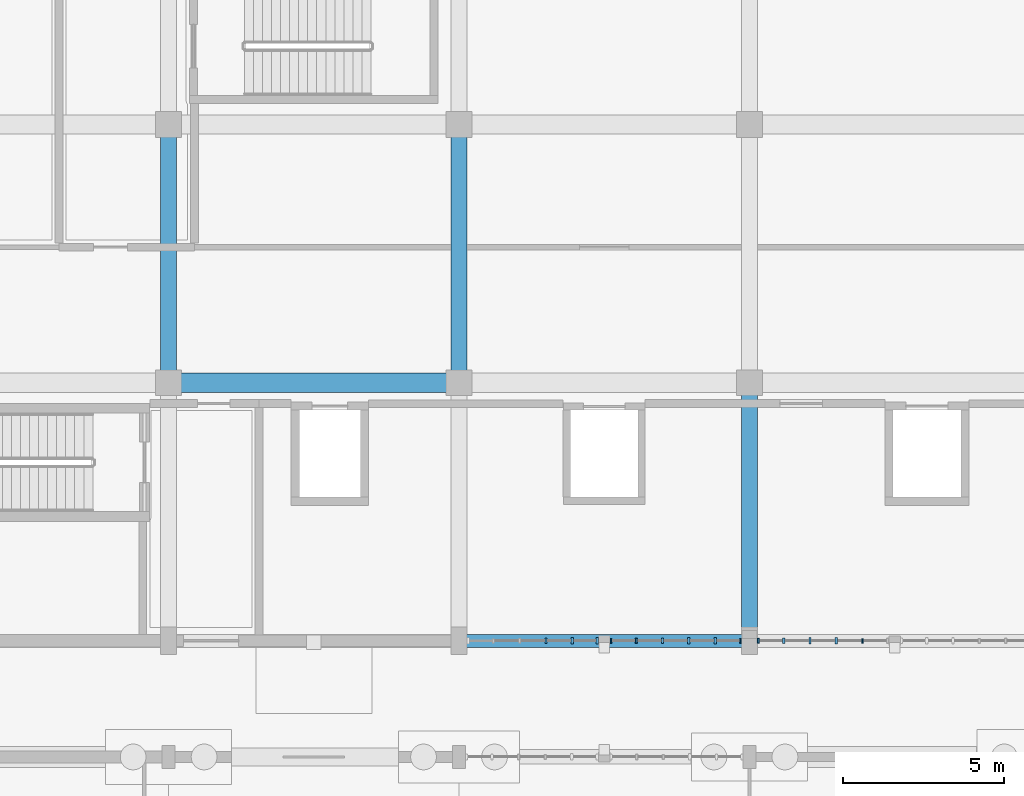
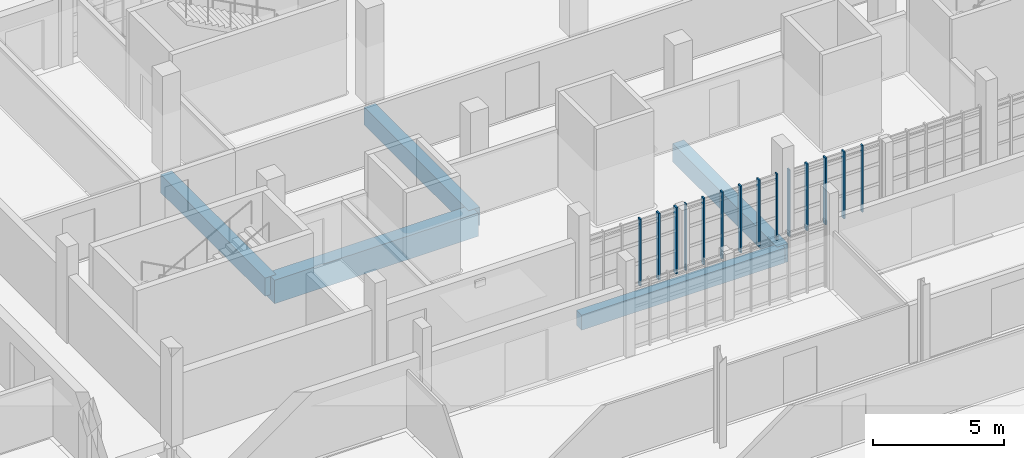
# One storey, part 14 of 63: 14 members, 5 beams, 3 elements without a shape of their own.
"""IFC4 building model written with IfcOpenShell, lengths in metres."""

from ifc_helpers import new_model, si_unit, direction, frame, origin, origin_2d, place, context, subcontext, project, spatial, rectangle, extrude, material, material_profile, profile_set, type_object, element, aggregate, save


model = new_model("IFC4")

# Units and contexts
model_context = context("Model", 3, precision=1e-05, world=origin(), true_north=direction((0.0, 1.0)))
body_context = subcontext(model_context, "Body", "Model", "MODEL_VIEW")
ifc_project = project(units=[si_unit("LENGTHUNIT", "METRE"), si_unit("AREAUNIT", "SQUARE_METRE"), si_unit("VOLUMEUNIT", "CUBIC_METRE"), si_unit("PLANEANGLEUNIT", "RADIAN"), si_unit("MASSUNIT", "GRAM", prefix="KILO")], contexts=[model_context])

# Site, building, storey
site_placement = place(None, origin())
site = spatial("IfcSite", under=ifc_project, at=site_placement, CompositionType="ELEMENT")
building_placement = place(site_placement, origin())
building = spatial("IfcBuilding", under=site, at=building_placement, Name="Serraforn Aerial Cableway Station", CompositionType="ELEMENT")
storey_placement = place(building_placement, origin())
storey = spatial("IfcBuildingStorey", under=building, at=storey_placement, Name="L00", CompositionType="ELEMENT", Elevation=0.0)

# Beams
ifc_material_1 = material(Name="Concrete C35/45", Category="concrete")
ifc_material_profile_1 = material_profile(ifc_material_1, rectangle(XDim=0.39990234375, YDim=0.699951171875, at=origin_2d()), Name="RC 400x700")
ifc_profile_set_1 = profile_set([ifc_material_profile_1], Name="Concrete C35/45")
beam_type_1 = type_object("IfcBeamType", Name="BM-RC-400x700E", PredefinedType="SPANDREL", material=ifc_profile_set_1)
beam_1_placement = place(storey_placement, frame((45.60009765625, 18.0, -0.7099609375), z_axis=(1.0, 0.0, 0.0), x_axis=(0.0, 1.0, 0.0)))
element("IfcBeam", 1, at=beam_1_placement, inside=storey, type_object=beam_type_1, Name="Grid Girder X CV L00 Y1-3", PredefinedType="SPANDREL", context=body_context, shape_type="SweptSolid", body=[
    extrude(rectangle(XDim=0.39990234375, YDim=0.699951171875, at=origin_2d()), origin(), (0.0, 0.0, 1.0), 9.0),
])
ifc_material_profile_2 = material_profile(ifc_material_1, rectangle(XDim=0.5, YDim=0.85009765625, at=origin_2d()), Name="RC 500x850")
ifc_profile_set_2 = profile_set([ifc_material_profile_2], Name="Concrete C35/45")
beam_type_2 = type_object("IfcBeamType", Name="BM-RC-500x850", PredefinedType="USERDEFINED", material=ifc_profile_set_2)
for number, where, z_axis, x_axis, name in (
    (2, (36.60009765625, 26.0, -0.784912109375), (0.0, 1.0, 0.0), (-1.0, 0.0, 0.0), "Grid Girder Y CV L00 X2-2"),
    (3, (45.60009765625, 26.0, -0.784912109375), (0.0, 1.0, 0.0), (-1.0, 0.0, 0.0), "Grid Girder Y CV L00 X3-2"),
    (4, (54.60009765625, 18.0, -0.784912109375), (0.0, 1.0, 0.0), (-1.0, 0.0, 0.0), "Grid Girder Y CV L00 X4-1"),
):
    element("IfcBeam", number, at=place(storey_placement, frame(where, z_axis=z_axis, x_axis=x_axis)), inside=storey, type_object=beam_type_2, Name=name, ObjectType="GIRDER", PredefinedType="USERDEFINED", context=body_context, shape_type="SweptSolid", body=[
        extrude(rectangle(XDim=0.5, YDim=0.85009765625, at=origin_2d()), origin(), (0.0, 0.0, 1.0), 8.0),
    ])
ifc_material_2 = material(Name="Concrete C40/50", Category="concrete")
ifc_material_profile_3 = material_profile(ifc_material_2, rectangle(XDim=0.60009765625, YDim=1.10009765625, at=origin_2d()), Name="RC 600x1100")
ifc_profile_set_3 = profile_set([ifc_material_profile_3], Name="Concrete C40/50")
beam_type_3 = type_object("IfcBeamType", Name="BM-RC-600x1100", PredefinedType="USERDEFINED", material=ifc_profile_set_3)
beam_2_placement = place(storey_placement, frame((36.60009765625, 26.0, -0.909912109375), z_axis=(1.0, 0.0, 0.0), x_axis=(0.0, 1.0, 0.0)))
element("IfcBeam", 5, at=beam_2_placement, inside=storey, type_object=beam_type_3, Name="Grid Girder X CV L00 Y2-2", ObjectType="GIRDER", PredefinedType="USERDEFINED", context=body_context, shape_type="SweptSolid", body=[
    extrude(rectangle(XDim=0.60009765625, YDim=1.10009765625, at=origin_2d()), origin(), (0.0, 0.0, 1.0), 9.0),
])

# Curtain wall, members
ifc_material_3 = material(Name="Anodised bronze unitised curtain wall")
curtain_wall_type_1 = type_object("IfcCurtainWallType", Name="CW-SYS-4", PredefinedType="USERDEFINED", material=ifc_material_3)
curtain_wall_1_placement = place(storey_placement, origin())
curtain_wall_1 = element("IfcCurtainWall", 6, at=curtain_wall_1_placement, inside=storey, type_object=curtain_wall_type_1, Name="Unitised Curtain Wall CW-CV-L00-S3B", ObjectType="UNITISED CURTAIN WALL", PredefinedType="USERDEFINED")
ifc_material_4 = material(Name="Anodised bronze extruded aluminium", Category="aluminium")
ifc_material_profile_4 = material_profile(ifc_material_4, rectangle(XDim=0.054931640625, YDim=0.139892578125, at=origin_2d()), Name="CW MULLION 55x140")
ifc_profile_set_4 = profile_set([ifc_material_profile_4], Name="Anodised bronze extruded aluminium")
member_type_1 = type_object("IfcMemberType", Name="CW-MUL-1", PredefinedType="MULLION", material=ifc_profile_set_4)
member_1_placement = place(storey_placement, frame((50.3076171875, 18.0, 0.0), z_axis=(0.0, 0.0, 1.0), x_axis=(1.0, 0.0, 0.0)))
member_1 = element("IfcMember", 7, at=member_1_placement, type_object=member_type_1, Name="Curtain Wall Mullion CW-CV-L00-S3B-M1", PredefinedType="MULLION", context=body_context, shape_type="SweptSolid", body=[
    extrude(rectangle(XDim=0.054931640625, YDim=0.139892578125, at=origin_2d()), origin(), (0.0, 0.0, 1.0), 3.1201171875),
])
member_2_placement = place(storey_placement, frame((54.324462890625, 18.0, 0.0), z_axis=(0.0, 0.0, 1.0), x_axis=(1.0, 0.0, 0.0)))
member_2 = element("IfcMember", 8, at=member_2_placement, type_object=member_type_1, Name="Curtain Wall Mullion CW-CV-L00-S3B-M6", PredefinedType="MULLION", context=body_context, shape_type="SweptSolid", body=[
    extrude(rectangle(XDim=0.054931640625, YDim=0.139892578125, at=origin_2d()), origin(), (0.0, 0.0, 1.0), 3.1201171875),
])

# Curtain wall, member
curtain_wall_type_2 = type_object("IfcCurtainWallType", Name="CW-SYS-5", PredefinedType="USERDEFINED", material=ifc_material_3)
curtain_wall_2_placement = place(storey_placement, origin())
curtain_wall_2 = element("IfcCurtainWall", 9, at=curtain_wall_2_placement, inside=storey, type_object=curtain_wall_type_2, Name="Unitised Curtain Wall CW-CV-L00-S4A", ObjectType="UNITISED CURTAIN WALL", PredefinedType="USERDEFINED")
member_3_placement = place(storey_placement, frame((58.105712890625, 18.0, 0.0), z_axis=(0.0, 0.0, 1.0), x_axis=(1.0, 0.0, 0.0)))
member_3 = element("IfcMember", 10, at=member_3_placement, type_object=member_type_1, Name="Curtain Wall Mullion CW-CV-L00-S4A-M5", PredefinedType="MULLION", context=body_context, shape_type="SweptSolid", body=[
    extrude(rectangle(XDim=0.054931640625, YDim=0.139892578125, at=origin_2d()), origin(), (0.0, 0.0, 1.0), 3.1201171875),
])

# Member
ifc_material_profile_5 = material_profile(ifc_material_4, rectangle(XDim=0.06005859375, YDim=0.159912109375, at=origin_2d()), Name="CW MULLION 60x160")
ifc_profile_set_5 = profile_set([ifc_material_profile_5], Name="Anodised bronze extruded aluminium")
member_type_2 = type_object("IfcMemberType", Name="CW-MUL-2", PredefinedType="MULLION", material=ifc_profile_set_5)
member_4_placement = place(storey_placement, frame((51.094482421875, 18.0, 0.0), z_axis=(0.0, 0.0, 1.0), x_axis=(1.0, 0.0, 0.0)))
member_4 = element("IfcMember", 11, at=member_4_placement, type_object=member_type_2, Name="Curtain Wall Mullion CW-CV-L00-S3B-M2", PredefinedType="MULLION", context=body_context, shape_type="SweptSolid", body=[
    extrude(rectangle(XDim=0.06005859375, YDim=0.159912109375, at=origin_2d()), origin(), (0.0, 0.0, 1.0), 3.1201171875),
])

member_5_placement = place(storey_placement, frame((54.8779296875, 18.0, 0.0), z_axis=(0.0, 0.0, 1.0), x_axis=(1.0, 0.0, 0.0)))
member_5 = element("IfcMember", 12, at=member_5_placement, type_object=member_type_2, Name="Curtain Wall Mullion CW-CV-L00-S4A-M1", PredefinedType="MULLION", context=body_context, shape_type="SweptSolid", body=[
    extrude(rectangle(XDim=0.06005859375, YDim=0.159912109375, at=origin_2d()), origin(), (0.0, 0.0, 1.0), 3.1201171875),
])

# Curtain wall, member
curtain_wall_type_3 = type_object("IfcCurtainWallType", Name="CW-SYS-3", PredefinedType="USERDEFINED", material=ifc_material_3)
curtain_wall_3_placement = place(storey_placement, origin())
curtain_wall_3 = element("IfcCurtainWall", 13, at=curtain_wall_3_placement, inside=storey, type_object=curtain_wall_type_3, Name="Unitised Curtain Wall CW-CV-L00-S3A", ObjectType="UNITISED CURTAIN WALL", PredefinedType="USERDEFINED")
ifc_material_profile_6 = material_profile(ifc_material_4, rectangle(XDim=0.06494140625, YDim=0.175048828125, at=origin_2d()), Name="CW MULLION 65x175")
ifc_profile_set_6 = profile_set([ifc_material_profile_6], Name="Anodised bronze extruded aluminium")
member_type_3 = type_object("IfcMemberType", Name="CW-MUL-3", PredefinedType="MULLION", material=ifc_profile_set_6)
member_6_placement = place(storey_placement, frame((48.291259765625, 18.0, 0.0), z_axis=(0.0, 0.0, 1.0), x_axis=(1.0, 0.0, 0.0)))
member_6 = element("IfcMember", 14, at=member_6_placement, type_object=member_type_3, Name="Curtain Wall Mullion CW-CV-L00-S3A-M4", PredefinedType="MULLION", context=body_context, shape_type="SweptSolid", body=[
    extrude(rectangle(XDim=0.06494140625, YDim=0.175048828125, at=origin_2d()), origin(), (0.0, 0.0, 1.0), 3.1201171875),
])

# Member
member_7_placement = place(storey_placement, frame((51.90869140625, 18.0, 0.0), z_axis=(0.0, 0.0, 1.0), x_axis=(1.0, 0.0, 0.0)))
member_7 = element("IfcMember", 15, at=member_7_placement, type_object=member_type_3, Name="Curtain Wall Mullion CW-CV-L00-S3B-M3", PredefinedType="MULLION", context=body_context, shape_type="SweptSolid", body=[
    extrude(rectangle(XDim=0.06494140625, YDim=0.175048828125, at=origin_2d()), origin(), (0.0, 0.0, 1.0), 3.1201171875),
])

member_8_placement = place(storey_placement, frame((55.662353515625, 18.0, 0.0), z_axis=(0.0, 0.0, 1.0), x_axis=(1.0, 0.0, 0.0)))
member_8 = element("IfcMember", 16, at=member_8_placement, type_object=member_type_3, Name="Curtain Wall Mullion CW-CV-L00-S4A-M2", PredefinedType="MULLION", context=body_context, shape_type="SweptSolid", body=[
    extrude(rectangle(XDim=0.06494140625, YDim=0.175048828125, at=origin_2d()), origin(), (0.0, 0.0, 1.0), 3.1201171875),
])

ifc_material_profile_7 = material_profile(ifc_material_4, rectangle(XDim=0.070068359375, YDim=0.18994140625, at=origin_2d()), Name="CW MULLION 70x190")
ifc_profile_set_7 = profile_set([ifc_material_profile_7], Name="Anodised bronze extruded aluminium")
member_type_4 = type_object("IfcMemberType", Name="CW-MUL-4", PredefinedType="MULLION", material=ifc_profile_set_7)
member_9_placement = place(storey_placement, frame((49.105712890625, 18.0, 0.0), z_axis=(0.0, 0.0, 1.0), x_axis=(1.0, 0.0, 0.0)))
member_9 = element("IfcMember", 17, at=member_9_placement, type_object=member_type_4, Name="Curtain Wall Mullion CW-CV-L00-S3A-M5", PredefinedType="MULLION", context=body_context, shape_type="SweptSolid", body=[
    extrude(rectangle(XDim=0.070068359375, YDim=0.18994140625, at=origin_2d()), origin(), (0.0, 0.0, 1.0), 3.1201171875),
])

member_10_placement = place(storey_placement, frame((52.72314453125, 18.0, 0.0), z_axis=(0.0, 0.0, 1.0), x_axis=(1.0, 0.0, 0.0)))
member_10 = element("IfcMember", 18, at=member_10_placement, type_object=member_type_4, Name="Curtain Wall Mullion CW-CV-L00-S3B-M4", PredefinedType="MULLION", context=body_context, shape_type="SweptSolid", body=[
    extrude(rectangle(XDim=0.070068359375, YDim=0.18994140625, at=origin_2d()), origin(), (0.0, 0.0, 1.0), 3.1201171875),
])

member_11_placement = place(storey_placement, frame((56.476806640625, 18.0, 0.0), z_axis=(0.0, 0.0, 1.0), x_axis=(1.0, 0.0, 0.0)))
member_11 = element("IfcMember", 19, at=member_11_placement, type_object=member_type_4, Name="Curtain Wall Mullion CW-CV-L00-S4A-M3", PredefinedType="MULLION", context=body_context, shape_type="SweptSolid", body=[
    extrude(rectangle(XDim=0.070068359375, YDim=0.18994140625, at=origin_2d()), origin(), (0.0, 0.0, 1.0), 3.1201171875),
])

ifc_material_profile_8 = material_profile(ifc_material_4, rectangle(XDim=0.074951171875, YDim=0.199951171875, at=origin_2d()), Name="CW MULLION 75x200")
ifc_profile_set_8 = profile_set([ifc_material_profile_8], Name="Anodised bronze extruded aluminium")
member_type_5 = type_object("IfcMemberType", Name="CW-MUL-5", PredefinedType="MULLION", material=ifc_profile_set_8)
member_12_placement = place(storey_placement, frame((49.882568359375, 18.0, 0.0), z_axis=(0.0, 0.0, 1.0), x_axis=(1.0, 0.0, 0.0)))
member_12 = element("IfcMember", 20, at=member_12_placement, type_object=member_type_5, Name="Curtain Wall Mullion CW-CV-L00-S3A-M6", PredefinedType="MULLION", context=body_context, shape_type="SweptSolid", body=[
    extrude(rectangle(XDim=0.074951171875, YDim=0.199951171875, at=origin_2d()), origin(), (0.0, 0.0, 1.0), 3.1201171875),
])

aggregate(curtain_wall_3, [member_6, member_9, member_12])

member_13_placement = place(storey_placement, frame((53.53759765625, 18.0, 0.0), z_axis=(0.0, 0.0, 1.0), x_axis=(1.0, 0.0, 0.0)))
member_13 = element("IfcMember", 21, at=member_13_placement, type_object=member_type_5, Name="Curtain Wall Mullion CW-CV-L00-S3B-M5", PredefinedType="MULLION", context=body_context, shape_type="SweptSolid", body=[
    extrude(rectangle(XDim=0.074951171875, YDim=0.199951171875, at=origin_2d()), origin(), (0.0, 0.0, 1.0), 3.1201171875),
])

aggregate(curtain_wall_1, [member_1, member_4, member_7, member_10, member_13, member_2])

member_14_placement = place(storey_placement, frame((57.291259765625, 18.0, 0.0), z_axis=(0.0, 0.0, 1.0), x_axis=(1.0, 0.0, 0.0)))
member_14 = element("IfcMember", 22, at=member_14_placement, type_object=member_type_5, Name="Curtain Wall Mullion CW-CV-L00-S4A-M4", PredefinedType="MULLION", context=body_context, shape_type="SweptSolid", body=[
    extrude(rectangle(XDim=0.074951171875, YDim=0.199951171875, at=origin_2d()), origin(), (0.0, 0.0, 1.0), 3.1201171875),
])

aggregate(curtain_wall_2, [member_5, member_8, member_11, member_14, member_3])

save(model, "model.ifc")
